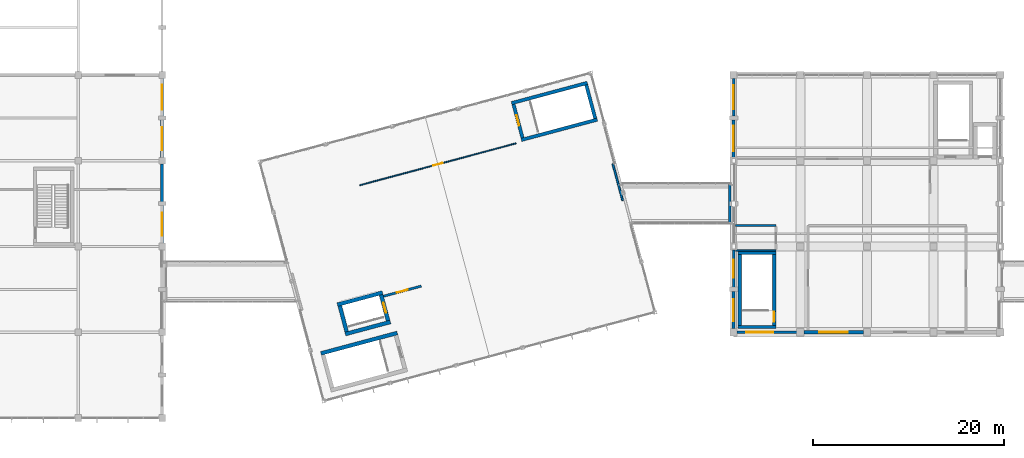
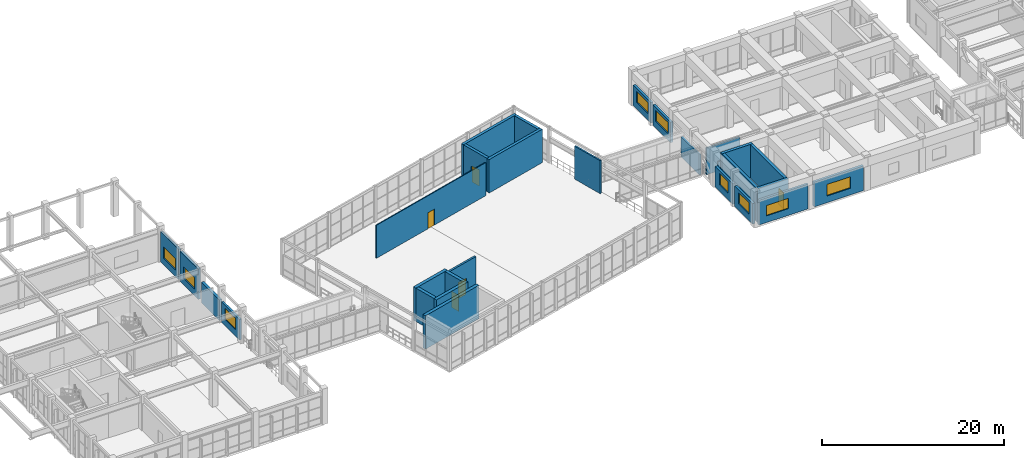
# One storey, part 83 of 99: 29 walls, 9 windows, 5 doors, 14 openings.
"""IFC4 building model written with IfcOpenShell, lengths in metres."""

from ifc_helpers import new_model, si_unit, direction, frame, frame_2d, origin, place, context, subcontext, project, spatial, rectangle, extrude, material, layer, layer_set, type_object, element, fill, save


model = new_model("IFC4")

# Units and contexts
model_context = context("Model", 3, precision=1e-05, world=origin(), true_north=direction((0.0, 1.0)))
body_context = subcontext(model_context, "Body", "Model", "MODEL_VIEW")
ifc_project = project(units=[si_unit("LENGTHUNIT", "METRE"), si_unit("AREAUNIT", "SQUARE_METRE"), si_unit("VOLUMEUNIT", "CUBIC_METRE"), si_unit("PLANEANGLEUNIT", "RADIAN"), si_unit("MASSUNIT", "GRAM", prefix="KILO")], contexts=[model_context])

# Site, building, storey
site_placement = place(None, origin())
site = spatial("IfcSite", under=ifc_project, at=site_placement, CompositionType="ELEMENT")
building_placement = place(site_placement, origin())
building = spatial("IfcBuilding", under=site, at=building_placement, Name="Ventoquebrada Cableway Terminal", CompositionType="ELEMENT")
storey_placement = place(building_placement, frame((0.0, 0.0, 9.60009765625)))
storey = spatial("IfcBuildingStorey", under=building, at=storey_placement, Name="L02", CompositionType="ELEMENT", Elevation=9.60009765625)

# Walls
ifc_material_1 = material(Name="Concrete C40/50", Category="concrete")
ifc_layer_1 = layer(ifc_material_1, 0.39990234375)
ifc_layer_set_1 = layer_set([ifc_layer_1], Name="Concrete C40/50")
wall_type_1 = type_object("IfcWallType", Name="WL-CR1", PredefinedType="SHEAR", material=ifc_layer_set_1)
wall_1_placement = place(storey_placement, frame((59.693115234375, 76.925048828125, 0.0), z_axis=(0.0, 0.0, 1.0), x_axis=(-0.965895785046, -0.258931134532, 0.0)))
element("IfcWall", 1, at=wall_1_placement, inside=storey, type_object=wall_type_1, Name="Core shear wall IW-0115", PredefinedType="SHEAR", context=body_context, shape_type="SweptSolid", body=[
    extrude(rectangle(XDim=8.300048828125, YDim=0.39990234375, at=frame_2d((4.14990234375, 0.0))), origin(), (0.0, 0.0, 1.0), 4.489990234375),
])
wall_2_placement = place(storey_placement, frame((54.237060546875, 76.80810546875, 0.0), z_axis=(0.0, 0.0, 1.0), x_axis=(0.96589421857, 0.258936977917, 0.0)))
element("IfcWall", 2, at=wall_2_placement, inside=storey, type_object=wall_type_1, Name="Core shear wall IW-0117", PredefinedType="SHEAR", context=body_context, shape_type="SweptSolid", body=[
    extrude(rectangle(XDim=4.900146484375, YDim=0.39990234375, at=frame_2d((2.4501953125, 0.0))), origin(), (0.0, 0.0, 1.0), 4.489990234375),
])

# Wall, opening, door
wall_3_placement = place(storey_placement, frame((58.72509765625, 78.218017578125, 0.0), z_axis=(0.0, 0.0, 1.0), x_axis=(-0.258585009686, 0.965988505504, 0.0)))
wall_3 = element("IfcWall", 3, at=wall_3_placement, inside=storey, type_object=wall_type_1, Name="Core shear wall IW-0118", PredefinedType="SHEAR", context=body_context, shape_type="SweptSolid", body=[
    extrude(rectangle(XDim=2.80029296875, YDim=0.39990234375, at=frame_2d((1.400146484375, 0.0))), origin(), (0.0, 0.0, 1.0), 4.489990234375),
])
opening_1_placement = place(wall_3_placement, frame((0.85009765625, 0.0, 0.0)))
opening_1 = element("IfcOpeningElement", 4, at=opening_1_placement, cuts=wall_3, Name="Opening LD-014", PredefinedType="OPENING", context=body_context, shape_type="SweptSolid", body=[
    extrude(rectangle(XDim=1.10009765625, YDim=2.199951171875, at=frame_2d((0.550048828125, 1.10009765625))), frame((0.0, 0.2099609375, 0.0), z_axis=(0.0, -1.0, 0.0), x_axis=(1.0, 0.0, 0.0)), (0.0, 0.0, 1.0), 0.419921875),
])
ifc_material_2 = material(Name="Brushed stainless steel Grade 316", Category="steel")
door_type_1 = type_object("IfcDoorType", Name="DT-LD01", OperationType="SLIDING_TO_LEFT", PredefinedType="DOOR", material=ifc_material_2)
door_1_placement = place(opening_1_placement, origin())
door_1 = element("IfcDoor", 5, at=door_1_placement, inside=storey, type_object=door_type_1, Name="Lift landing sliding door LD-014", OperationType="SLIDING_TO_LEFT", OverallHeight=2.199951171875, OverallWidth=1.10009765625, PredefinedType="DOOR", context=body_context, shape_type="SweptSolid", body=[
    extrude(rectangle(XDim=1.10009765625, YDim=2.199951171875, at=frame_2d((0.550048828125, 1.10009765625))), frame((0.0, 0.02490234375, 0.0), z_axis=(0.0, -1.0, 0.0), x_axis=(1.0, 0.0, 0.0)), (0.0, 0.0, 1.0), 0.050048828125),
])
fill(opening_1, door_1)

# Walls
wall_4_placement = place(storey_placement, frame((58.14208984375, 81.16796875, 0.0), z_axis=(0.0, 0.0, 1.0), x_axis=(-0.965885097819, -0.258970998012, 0.0)))
element("IfcWall", 6, at=wall_4_placement, inside=storey, type_object=wall_type_1, Name="Core shear wall IW-0119", PredefinedType="SHEAR", context=body_context, shape_type="SweptSolid", body=[
    extrude(rectangle(XDim=4.900390625, YDim=0.39990234375, at=frame_2d((2.4501953125, 0.0))), origin(), (0.0, 0.0, 1.0), 4.489990234375),
])
wall_5_placement = place(storey_placement, frame((53.654052734375, 79.758056640625, 0.0), z_axis=(0.0, 0.0, 1.0), x_axis=(0.258503653459, -0.966010280043, 0.0)))
element("IfcWall", 7, at=wall_5_placement, inside=storey, type_object=wall_type_1, Name="Core shear wall IW-0120", PredefinedType="SHEAR", context=body_context, shape_type="SweptSolid", body=[
    extrude(rectangle(XDim=2.80029296875, YDim=0.39990234375, at=frame_2d((1.400146484375, 0.0))), origin(), (0.0, 0.0, 1.0), 4.489990234375),
])

# Wall, opening, window
ifc_material_3 = material(Name="Precast architectural concrete C40/50", Category="concrete")
ifc_layer_2 = layer(ifc_material_3, 0.280029296875)
ifc_layer_set_2 = layer_set([ifc_layer_2], Name="Precast architectural concrete C40/50")
wall_type_2 = type_object("IfcWallType", Name="WL-EX1", PredefinedType="SOLIDWALL", material=ifc_layer_set_2)
wall_6_placement = place(storey_placement, frame((35.0, 86.344970703125, 0.0), z_axis=(0.0, 0.0, 1.0), x_axis=(0.0, 1.0, 0.0)))
wall_6 = element("IfcWall", 8, at=wall_6_placement, inside=storey, type_object=wall_type_2, Name="Exterior architectural wall EW-0156", PredefinedType="SOLIDWALL", context=body_context, shape_type="SweptSolid", body=[
    extrude(rectangle(XDim=3.9599609375, YDim=0.280029296875, at=frame_2d((1.97998046875, 0.0))), origin(), (0.0, 0.0, 1.0), 2.751953125),
])
opening_2_placement = place(wall_6_placement, frame((0.780029296875, 0.0, 0.89990234375)))
opening_2 = element("IfcOpeningElement", 9, at=opening_2_placement, cuts=wall_6, Name="Opening WN-070", PredefinedType="OPENING", context=body_context, shape_type="SweptSolid", body=[
    extrude(rectangle(XDim=2.39990234375, YDim=1.5, at=frame_2d((1.199951171875, 0.75))), frame((0.0, 0.14990234375, 0.0), z_axis=(0.0, -1.0, 0.0), x_axis=(1.0, 0.0, 0.0)), (0.0, 0.0, 1.0), 0.300048828125),
])
ifc_material_4 = material(Name="Double low-e laminated safety glazing", Category="glass")
window_type_1 = type_object("IfcWindowType", Name="WT-10", PartitioningType="SINGLE_PANEL", PredefinedType="WINDOW", material=ifc_material_4)
window_1_placement = place(opening_2_placement, origin())
window_1 = element("IfcWindow", 10, at=window_1_placement, inside=storey, type_object=window_type_1, Name="Architectural punched window WN-070", OverallHeight=1.5, OverallWidth=2.39990234375, PartitioningType="SINGLE_PANEL", PredefinedType="WINDOW", context=body_context, shape_type="SweptSolid", body=[
    extrude(rectangle(XDim=2.39990234375, YDim=1.5, at=frame_2d((1.199951171875, 0.75))), frame((0.0, 0.030029296875, 0.0), z_axis=(0.0, -1.0, 0.0), x_axis=(1.0, 0.0, 0.0)), (0.0, 0.0, 1.0), 0.06005859375),
])
fill(opening_2, window_1)

wall_7_placement = place(storey_placement, frame((35.0, 99.695068359375, 0.0), z_axis=(0.0, 0.0, 1.0), x_axis=(0.0, 1.0, 0.0)))
wall_7 = element("IfcWall", 11, at=wall_7_placement, inside=storey, type_object=wall_type_2, Name="Exterior architectural wall EW-0159", PredefinedType="SOLIDWALL", context=body_context, shape_type="SweptSolid", body=[
    extrude(rectangle(XDim=3.9599609375, YDim=0.280029296875, at=frame_2d((1.97998046875, 0.0))), origin(), (0.0, 0.0, 1.0), 4.074951171875),
])
opening_3_placement = place(wall_7_placement, frame((0.679931640625, 0.0, 0.89990234375)))
opening_3 = element("IfcOpeningElement", 12, at=opening_3_placement, cuts=wall_7, Name="Opening WN-072", PredefinedType="OPENING", context=body_context, shape_type="SweptSolid", body=[
    extrude(rectangle(XDim=2.60009765625, YDim=1.550048828125, at=frame_2d((1.300048828125, 0.77490234375))), frame((0.0, 0.14990234375, 0.0), z_axis=(0.0, -1.0, 0.0), x_axis=(1.0, 0.0, 0.0)), (0.0, 0.0, 1.0), 0.300048828125),
])
window_type_2 = type_object("IfcWindowType", Name="WT-12", PartitioningType="SINGLE_PANEL", PredefinedType="WINDOW", material=ifc_material_4)
window_2_placement = place(opening_3_placement, origin())
window_2 = element("IfcWindow", 13, at=window_2_placement, inside=storey, type_object=window_type_2, Name="Architectural punched window WN-072", OverallHeight=1.550048828125, OverallWidth=2.60009765625, PartitioningType="SINGLE_PANEL", PredefinedType="WINDOW", context=body_context, shape_type="SweptSolid", body=[
    extrude(rectangle(XDim=2.60009765625, YDim=1.550048828125, at=frame_2d((1.300048828125, 0.77490234375))), frame((0.0, 0.030029296875, 0.0), z_axis=(0.0, -1.0, 0.0), x_axis=(1.0, 0.0, 0.0)), (0.0, 0.0, 1.0), 0.06005859375),
])
fill(opening_3, window_2)

wall_8_placement = place(storey_placement, frame((95.3701171875, 77.0, 0.0), z_axis=(0.0, 0.0, 1.0), x_axis=(1.0, 0.0, 0.0)))
wall_8 = element("IfcWall", 14, at=wall_8_placement, inside=storey, type_object=wall_type_2, Name="Exterior architectural wall EW-0219", PredefinedType="SOLIDWALL", context=body_context, shape_type="SweptSolid", body=[
    extrude(rectangle(XDim=6.259765625, YDim=0.280029296875, at=frame_2d((3.1298828125, 0.0))), origin(), (0.0, 0.0, 1.0), 3.324951171875),
])
opening_4_placement = place(wall_8_placement, frame((0.97998046875, 0.0, 0.89990234375)))
opening_4 = element("IfcOpeningElement", 15, at=opening_4_placement, cuts=wall_8, Name="Opening WN-113", PredefinedType="OPENING", context=body_context, shape_type="SweptSolid", body=[
    extrude(rectangle(XDim=2.800048828125, YDim=1.39990234375, at=frame_2d((1.39990234375, 0.699951171875))), frame((0.0, 0.14990234375, 0.0), z_axis=(0.0, -1.0, 0.0), x_axis=(1.0, 0.0, 0.0)), (0.0, 0.0, 1.0), 0.300048828125),
])
window_type_3 = type_object("IfcWindowType", Name="WT-13", PartitioningType="SINGLE_PANEL", PredefinedType="WINDOW", material=ifc_material_4)
window_3_placement = place(opening_4_placement, origin())
window_3 = element("IfcWindow", 16, at=window_3_placement, inside=storey, type_object=window_type_3, Name="Architectural punched window WN-113", OverallHeight=1.39990234375, OverallWidth=2.800048828125, PartitioningType="SINGLE_PANEL", PredefinedType="WINDOW", context=body_context, shape_type="SweptSolid", body=[
    extrude(rectangle(XDim=2.800048828125, YDim=1.39990234375, at=frame_2d((1.39990234375, 0.699951171875))), frame((0.0, 0.030029296875, 0.0), z_axis=(0.0, -1.0, 0.0), x_axis=(1.0, 0.0, 0.0)), (0.0, 0.0, 1.0), 0.06005859375),
])
fill(opening_4, window_3)

wall_9_placement = place(storey_placement, frame((95.0, 85.6298828125, 0.0), z_axis=(0.0, 0.0, 1.0), x_axis=(0.0, -1.0, 0.0)))
wall_9 = element("IfcWall", 17, at=wall_9_placement, inside=storey, type_object=wall_type_2, Name="Exterior architectural wall EW-0225", PredefinedType="SOLIDWALL", context=body_context, shape_type="SweptSolid", body=[
    extrude(rectangle(XDim=3.909912109375, YDim=0.280029296875, at=frame_2d((1.955078125, 0.0))), origin(), (0.0, 0.0, 1.0), 2.751953125),
])
opening_5_placement = place(wall_9_placement, frame((1.0048828125, 0.0, 0.89990234375)))
opening_5 = element("IfcOpeningElement", 18, at=opening_5_placement, cuts=wall_9, Name="Opening WN-117", PredefinedType="OPENING", context=body_context, shape_type="SweptSolid", body=[
    extrude(rectangle(XDim=1.89990234375, YDim=1.550048828125, at=frame_2d((0.949951171875, 0.77490234375))), frame((0.0, 0.14990234375, 0.0), z_axis=(0.0, -1.0, 0.0), x_axis=(1.0, 0.0, 0.0)), (0.0, 0.0, 1.0), 0.300048828125),
])
window_type_4 = type_object("IfcWindowType", Name="WT-17", PartitioningType="SINGLE_PANEL", PredefinedType="WINDOW", material=ifc_material_4)
window_4_placement = place(opening_5_placement, origin())
window_4 = element("IfcWindow", 19, at=window_4_placement, inside=storey, type_object=window_type_4, Name="Architectural punched window WN-117", OverallHeight=1.550048828125, OverallWidth=1.89990234375, PartitioningType="SINGLE_PANEL", PredefinedType="WINDOW", context=body_context, shape_type="SweptSolid", body=[
    extrude(rectangle(XDim=1.89990234375, YDim=1.550048828125, at=frame_2d((0.949951171875, 0.77490234375))), frame((0.0, 0.030029296875, 0.0), z_axis=(0.0, -1.0, 0.0), x_axis=(1.0, 0.0, 0.0)), (0.0, 0.0, 1.0), 0.06005859375),
])
fill(opening_5, window_4)

wall_10_placement = place(storey_placement, frame((95.0, 103.6298828125, 0.0), z_axis=(0.0, 0.0, 1.0), x_axis=(0.0, -1.0, 0.0)))
wall_10 = element("IfcWall", 20, at=wall_10_placement, inside=storey, type_object=wall_type_2, Name="Exterior architectural wall EW-0227", PredefinedType="SOLIDWALL", context=body_context, shape_type="SweptSolid", body=[
    extrude(rectangle(XDim=3.909912109375, YDim=0.280029296875, at=frame_2d((1.955078125, 0.0))), origin(), (0.0, 0.0, 1.0), 2.751953125),
])
opening_6_placement = place(wall_10_placement, frame((0.705078125, 0.0, 0.89990234375)))
opening_6 = element("IfcOpeningElement", 21, at=opening_6_placement, cuts=wall_10, Name="Opening WN-119", PredefinedType="OPENING", context=body_context, shape_type="SweptSolid", body=[
    extrude(rectangle(XDim=2.5, YDim=1.449951171875, at=frame_2d((1.25, 0.72509765625))), frame((0.0, 0.14990234375, 0.0), z_axis=(0.0, -1.0, 0.0), x_axis=(1.0, 0.0, 0.0)), (0.0, 0.0, 1.0), 0.300048828125),
])
window_type_5 = type_object("IfcWindowType", Name="WT-19", PartitioningType="SINGLE_PANEL", PredefinedType="WINDOW", material=ifc_material_4)
window_5_placement = place(opening_6_placement, origin())
window_5 = element("IfcWindow", 22, at=window_5_placement, inside=storey, type_object=window_type_5, Name="Architectural punched window WN-119", OverallHeight=1.449951171875, OverallWidth=2.5, PartitioningType="SINGLE_PANEL", PredefinedType="WINDOW", context=body_context, shape_type="SweptSolid", body=[
    extrude(rectangle(XDim=2.5, YDim=1.449951171875, at=frame_2d((1.25, 0.72509765625))), frame((0.0, 0.030029296875, 0.0), z_axis=(0.0, -1.0, 0.0), x_axis=(1.0, 0.0, 0.0)), (0.0, 0.0, 1.0), 0.06005859375),
])
fill(opening_6, window_5)

# Wall
ifc_layer_3 = layer(ifc_material_3, 0.320068359375)
ifc_layer_set_3 = layer_set([ifc_layer_3], Name="Precast architectural concrete C40/50")
wall_type_3 = type_object("IfcWallType", Name="WL-EX2", PredefinedType="SOLIDWALL", material=ifc_layer_set_3)
wall_11_placement = place(storey_placement, frame((35.0, 90.695068359375, 0.0), z_axis=(0.0, 0.0, 1.0), x_axis=(0.0, 1.0, 0.0)))
element("IfcWall", 23, at=wall_11_placement, inside=storey, type_object=wall_type_3, Name="Exterior architectural wall EW-0157", PredefinedType="SOLIDWALL", context=body_context, shape_type="SweptSolid", body=[
    extrude(rectangle(XDim=3.9599609375, YDim=0.320068359375, at=frame_2d((1.97998046875, 0.0))), origin(), (0.0, 0.0, 1.0), 2.751953125),
])

# Wall, opening, window
wall_12_placement = place(storey_placement, frame((35.0, 95.344970703125, 0.0), z_axis=(0.0, 0.0, 1.0), x_axis=(0.0, 1.0, 0.0)))
wall_12 = element("IfcWall", 24, at=wall_12_placement, inside=storey, type_object=wall_type_3, Name="Exterior architectural wall EW-0158", PredefinedType="SOLIDWALL", context=body_context, shape_type="SweptSolid", body=[
    extrude(rectangle(XDim=3.9599609375, YDim=0.320068359375, at=frame_2d((1.97998046875, 0.0))), origin(), (0.0, 0.0, 1.0), 4.074951171875),
])
opening_7_placement = place(wall_12_placement, frame((0.780029296875, 0.0, 0.89990234375)))
opening_7 = element("IfcOpeningElement", 25, at=opening_7_placement, cuts=wall_12, Name="Opening WN-071", PredefinedType="OPENING", context=body_context, shape_type="SweptSolid", body=[
    extrude(rectangle(XDim=2.39990234375, YDim=1.550048828125, at=frame_2d((1.199951171875, 0.77490234375))), frame((0.0, 0.169921875, 0.0), z_axis=(0.0, -1.0, 0.0), x_axis=(1.0, 0.0, 0.0)), (0.0, 0.0, 1.0), 0.340087890625),
])
window_type_6 = type_object("IfcWindowType", Name="WT-11", PartitioningType="SINGLE_PANEL", PredefinedType="WINDOW", material=ifc_material_4)
window_6_placement = place(opening_7_placement, origin())
window_6 = element("IfcWindow", 26, at=window_6_placement, inside=storey, type_object=window_type_6, Name="Architectural punched window WN-071", OverallHeight=1.550048828125, OverallWidth=2.39990234375, PartitioningType="SINGLE_PANEL", PredefinedType="WINDOW", context=body_context, shape_type="SweptSolid", body=[
    extrude(rectangle(XDim=2.39990234375, YDim=1.550048828125, at=frame_2d((1.199951171875, 0.77490234375))), frame((0.0, 0.030029296875, 0.0), z_axis=(0.0, -1.0, 0.0), x_axis=(1.0, 0.0, 0.0)), (0.0, 0.0, 1.0), 0.06005859375),
])
fill(opening_7, window_6)

wall_13_placement = place(storey_placement, frame((102.3701171875, 77.0, 0.0), z_axis=(0.0, 0.0, 1.0), x_axis=(1.0, 0.0, 0.0)))
wall_13 = element("IfcWall", 27, at=wall_13_placement, inside=storey, type_object=wall_type_3, Name="Exterior architectural wall EW-0220", PredefinedType="SOLIDWALL", context=body_context, shape_type="SweptSolid", body=[
    extrude(rectangle(XDim=6.259765625, YDim=0.320068359375, at=frame_2d((3.1298828125, 0.0))), origin(), (0.0, 0.0, 1.0), 3.324951171875),
])
opening_8_placement = place(wall_13_placement, frame((1.6298828125, 0.0, 0.89990234375)))
opening_8 = element("IfcOpeningElement", 28, at=opening_8_placement, cuts=wall_13, Name="Opening WN-114", PredefinedType="OPENING", context=body_context, shape_type="SweptSolid", body=[
    extrude(rectangle(XDim=3.0, YDim=1.550048828125, at=frame_2d((1.5, 0.77490234375))), frame((0.0, 0.169921875, 0.0), z_axis=(0.0, -1.0, 0.0), x_axis=(1.0, 0.0, 0.0)), (0.0, 0.0, 1.0), 0.340087890625),
])
window_type_7 = type_object("IfcWindowType", Name="WT-14", PartitioningType="SINGLE_PANEL", PredefinedType="WINDOW", material=ifc_material_4)
window_7_placement = place(opening_8_placement, origin())
window_7 = element("IfcWindow", 29, at=window_7_placement, inside=storey, type_object=window_type_7, Name="Architectural punched window WN-114", OverallHeight=1.550048828125, OverallWidth=3.0, PartitioningType="SINGLE_PANEL", PredefinedType="WINDOW", context=body_context, shape_type="SweptSolid", body=[
    extrude(rectangle(XDim=3.0, YDim=1.550048828125, at=frame_2d((1.5, 0.77490234375))), frame((0.0, 0.030029296875, 0.0), z_axis=(0.0, -1.0, 0.0), x_axis=(1.0, 0.0, 0.0)), (0.0, 0.0, 1.0), 0.06005859375),
])
fill(opening_8, window_7)

wall_14_placement = place(storey_placement, frame((95.0, 81.280029296875, 0.0), z_axis=(0.0, 0.0, 1.0), x_axis=(0.0, -1.0, 0.0)))
wall_14 = element("IfcWall", 30, at=wall_14_placement, inside=storey, type_object=wall_type_3, Name="Exterior architectural wall EW-0226", PredefinedType="SOLIDWALL", context=body_context, shape_type="SweptSolid", body=[
    extrude(rectangle(XDim=3.909912109375, YDim=0.320068359375, at=frame_2d((1.955078125, 0.0))), origin(), (0.0, 0.0, 1.0), 2.751953125),
])
opening_9_placement = place(wall_14_placement, frame((0.804931640625, 0.0, 0.89990234375)))
opening_9 = element("IfcOpeningElement", 31, at=opening_9_placement, cuts=wall_14, Name="Opening WN-118", PredefinedType="OPENING", context=body_context, shape_type="SweptSolid", body=[
    extrude(rectangle(XDim=2.300048828125, YDim=1.5, at=frame_2d((1.14990234375, 0.75))), frame((0.0, 0.169921875, 0.0), z_axis=(0.0, -1.0, 0.0), x_axis=(1.0, 0.0, 0.0)), (0.0, 0.0, 1.0), 0.340087890625),
])
window_type_8 = type_object("IfcWindowType", Name="WT-18", PartitioningType="SINGLE_PANEL", PredefinedType="WINDOW", material=ifc_material_4)
window_8_placement = place(opening_9_placement, origin())
window_8 = element("IfcWindow", 32, at=window_8_placement, inside=storey, type_object=window_type_8, Name="Architectural punched window WN-118", OverallHeight=1.5, OverallWidth=2.300048828125, PartitioningType="SINGLE_PANEL", PredefinedType="WINDOW", context=body_context, shape_type="SweptSolid", body=[
    extrude(rectangle(XDim=2.300048828125, YDim=1.5, at=frame_2d((1.14990234375, 0.75))), frame((0.0, 0.030029296875, 0.0), z_axis=(0.0, -1.0, 0.0), x_axis=(1.0, 0.0, 0.0)), (0.0, 0.0, 1.0), 0.06005859375),
])
fill(opening_9, window_8)

wall_15_placement = place(storey_placement, frame((95.0, 99.280029296875, 0.0), z_axis=(0.0, 0.0, 1.0), x_axis=(0.0, -1.0, 0.0)))
wall_15 = element("IfcWall", 33, at=wall_15_placement, inside=storey, type_object=wall_type_3, Name="Exterior architectural wall EW-0228", PredefinedType="SOLIDWALL", context=body_context, shape_type="SweptSolid", body=[
    extrude(rectangle(XDim=3.909912109375, YDim=0.320068359375, at=frame_2d((1.955078125, 0.0))), origin(), (0.0, 0.0, 1.0), 2.751953125),
])
opening_10_placement = place(wall_15_placement, frame((0.60498046875, 0.0, 0.89990234375)))
opening_10 = element("IfcOpeningElement", 34, at=opening_10_placement, cuts=wall_15, Name="Opening WN-120", PredefinedType="OPENING", context=body_context, shape_type="SweptSolid", body=[
    extrude(rectangle(XDim=2.699951171875, YDim=1.5, at=frame_2d((1.35009765625, 0.75))), frame((0.0, 0.169921875, 0.0), z_axis=(0.0, -1.0, 0.0), x_axis=(1.0, 0.0, 0.0)), (0.0, 0.0, 1.0), 0.340087890625),
])
window_type_9 = type_object("IfcWindowType", Name="WT-20", PartitioningType="SINGLE_PANEL", PredefinedType="WINDOW", material=ifc_material_4)
window_9_placement = place(opening_10_placement, origin())
window_9 = element("IfcWindow", 35, at=window_9_placement, inside=storey, type_object=window_type_9, Name="Architectural punched window WN-120", OverallHeight=1.5, OverallWidth=2.699951171875, PartitioningType="SINGLE_PANEL", PredefinedType="WINDOW", context=body_context, shape_type="SweptSolid", body=[
    extrude(rectangle(XDim=2.699951171875, YDim=1.5, at=frame_2d((1.35009765625, 0.75))), frame((0.0, 0.030029296875, 0.0), z_axis=(0.0, -1.0, 0.0), x_axis=(1.0, 0.0, 0.0)), (0.0, 0.0, 1.0), 0.06005859375),
])
fill(opening_10, window_9)

# Wall, opening, door
ifc_material_5 = material(Name="Fire-rated gypsum partition board on steel framing", Category="steel")
ifc_layer_4 = layer(ifc_material_5, 0.1201171875)
ifc_layer_set_4 = layer_set([ifc_layer_4], Name="Fire-rated gypsum partition board on steel framing")
wall_type_4 = type_object("IfcWallType", Name="WL-PT1", PredefinedType="PARTITIONING", material=ifc_layer_set_4)
wall_16_placement = place(storey_placement, frame((55.7451171875, 92.430908203125, 0.0), z_axis=(0.0, 0.0, 1.0), x_axis=(0.96592317908, 0.258828924421, 0.0)))
wall_16 = element("IfcWall", 36, at=wall_16_placement, inside=storey, type_object=wall_type_4, Name="Interior partition IW-0391", PredefinedType="PARTITIONING", context=body_context, shape_type="SweptSolid", body=[
    extrude(rectangle(XDim=17.000244140625, YDim=0.1201171875, at=frame_2d((8.5, 0.0))), origin(), (0.0, 0.0, 1.0), 4.434814453125),
])
opening_11_placement = place(wall_16_placement, frame((8.0, 0.0, 0.0)))
opening_11 = element("IfcOpeningElement", 37, at=opening_11_placement, cuts=wall_16, Name="Opening D-116", PredefinedType="OPENING", context=body_context, shape_type="SweptSolid", body=[
    extrude(rectangle(XDim=1.0, YDim=2.14990234375, at=frame_2d((0.5, 1.074951171875))), frame((0.0, 0.070068359375, 0.0), z_axis=(0.0, -1.0, 0.0), x_axis=(1.0, 0.0, 0.0)), (0.0, 0.0, 1.0), 0.14013671875),
])
ifc_material_6 = material(Name="Fire-retardant oak acoustic door leaf")
door_type_2 = type_object("IfcDoorType", Name="DT-IN02", OperationType="SINGLE_SWING_RIGHT", PredefinedType="DOOR", material=ifc_material_6)
door_2_placement = place(opening_11_placement, origin())
door_2 = element("IfcDoor", 38, at=door_2_placement, inside=storey, type_object=door_type_2, Name="Supervisor Glass Booth Door D-116", OperationType="SINGLE_SWING_LEFT", OverallHeight=2.14990234375, OverallWidth=1.0, PredefinedType="DOOR", context=body_context, shape_type="SweptSolid", body=[
    extrude(rectangle(XDim=1.0, YDim=2.14990234375, at=frame_2d((0.5, 1.074951171875))), frame((0.0, 0.02490234375, 0.0), z_axis=(0.0, -1.0, 0.0), x_axis=(1.0, 0.0, 0.0)), (0.0, 0.0, 1.0), 0.050048828125),
])
fill(opening_11, door_2)

ifc_material_7 = material(Name="Autoclaved aerated concrete blockwork", Category="masonry")
ifc_layer_5 = layer(ifc_material_7, 0.2451171875)
ifc_layer_set_5 = layer_set([ifc_layer_5], Name="Autoclaved aerated concrete blockwork")
wall_type_5 = type_object("IfcWallType", Name="WL-PT10", PredefinedType="PARTITIONING", material=ifc_layer_set_5)
wall_17_placement = place(storey_placement, frame((58.2451171875, 80.781005859375, 0.0), z_axis=(0.0, 0.0, 1.0), x_axis=(0.965943799927, 0.258751957254, 0.0)))
wall_17 = element("IfcWall", 39, at=wall_17_placement, inside=storey, type_object=wall_type_5, Name="Interior partition IW-0390", PredefinedType="PARTITIONING", context=body_context, shape_type="SweptSolid", body=[
    extrude(rectangle(XDim=4.1005859375, YDim=0.2451171875, at=frame_2d((2.05029296875, 0.0))), origin(), (0.0, 0.0, 1.0), 4.434814453125),
])
opening_12_placement = place(wall_17_placement, frame((1.449951171875, 0.0, 0.0)))
opening_12 = element("IfcOpeningElement", 40, at=opening_12_placement, cuts=wall_17, Name="Opening D-115", PredefinedType="OPENING", context=body_context, shape_type="SweptSolid", body=[
    extrude(rectangle(XDim=1.199951171875, YDim=2.199951171875, at=frame_2d((0.60009765625, 1.10009765625))), frame((0.0, 0.132568359375, 0.0), z_axis=(0.0, -1.0, 0.0), x_axis=(1.0, 0.0, 0.0)), (0.0, 0.0, 1.0), 0.26513671875),
])
ifc_material_8 = material(Name="Galvanized fire-rated steel door assembly", Category="steel")
door_type_3 = type_object("IfcDoorType", Name="DT-IN06", OperationType="SINGLE_SWING_RIGHT", PredefinedType="DOOR", material=ifc_material_8)
door_3_placement = place(opening_12_placement, origin())
door_3 = element("IfcDoor", 41, at=door_3_placement, inside=storey, type_object=door_type_3, Name="K2 Platform Lobby Door D-115", OperationType="SINGLE_SWING_RIGHT", OverallHeight=2.199951171875, OverallWidth=1.199951171875, PredefinedType="DOOR", context=body_context, shape_type="SweptSolid", body=[
    extrude(rectangle(XDim=1.199951171875, YDim=2.199951171875, at=frame_2d((0.60009765625, 1.10009765625))), frame((0.0, 0.02490234375, 0.0), z_axis=(0.0, -1.0, 0.0), x_axis=(1.0, 0.0, 0.0)), (0.0, 0.0, 1.0), 0.050048828125),
])
fill(opening_12, door_3)

# Walls
ifc_layer_6 = layer(ifc_material_7, 0.199951171875)
ifc_layer_set_6 = layer_set([ifc_layer_6], Name="Autoclaved aerated concrete blockwork")
wall_type_6 = type_object("IfcWallType", Name="WL-PT4", PredefinedType="PARTITIONING", material=ifc_layer_set_6)
wall_18_placement = place(storey_placement, frame((83.35205078125, 90.821044921875, 0.0), z_axis=(0.0, 0.0, 1.0), x_axis=(-0.258771675905, 0.965938517582, 0.0)))
element("IfcWall", 42, at=wall_18_placement, inside=storey, type_object=wall_type_6, Name="Interior partition IW-0394", PredefinedType="PARTITIONING", context=body_context, shape_type="SweptSolid", body=[
    extrude(rectangle(XDim=4.000244140625, YDim=0.199951171875, at=frame_2d((2.0, 0.0))), origin(), (0.0, 0.0, 1.0), 4.434814453125),
])
ifc_layer_7 = layer(ifc_material_7, 0.22998046875)
ifc_layer_set_7 = layer_set([ifc_layer_7], Name="Autoclaved aerated concrete blockwork")
wall_type_7 = type_object("IfcWallType", Name="WL-PT5", PredefinedType="PARTITIONING", material=ifc_layer_set_7)
wall_19_placement = place(storey_placement, frame((94.60009765625, 88.5, 0.0), z_axis=(0.0, 0.0, 1.0), x_axis=(0.0, 1.0, 0.0)))
element("IfcWall", 43, at=wall_19_placement, inside=storey, type_object=wall_type_7, Name="Interior partition IW-0395", PredefinedType="PARTITIONING", context=body_context, shape_type="SweptSolid", body=[
    extrude(rectangle(XDim=4.0, YDim=0.22998046875, at=frame_2d((2.0, 0.0))), origin(), (0.0, 0.0, 1.0), 2.741943359375),
])
ifc_layer_8 = layer(ifc_material_5, 0.1650390625)
ifc_layer_set_8 = layer_set([ifc_layer_8], Name="Fire-rated gypsum partition board on steel framing")
wall_type_8 = type_object("IfcWallType", Name="WL-PT8", PredefinedType="PARTITIONING", material=ifc_layer_set_8)
wall_20_placement = place(storey_placement, frame((95.199951171875, 85.60009765625, 0.0), z_axis=(0.0, 0.0, 1.0), x_axis=(1.0, 0.0, 0.0)))
element("IfcWall", 44, at=wall_20_placement, inside=storey, type_object=wall_type_8, Name="Interior partition IW-0398", PredefinedType="PARTITIONING", context=body_context, shape_type="SweptSolid", body=[
    extrude(rectangle(XDim=4.25, YDim=0.1650390625, at=frame_2d((2.125, 0.0))), origin(), (0.0, 0.0, 1.0), 3.31494140625),
])
ifc_layer_9 = layer(ifc_material_7, 0.215087890625)
ifc_layer_set_9 = layer_set([ifc_layer_9], Name="Autoclaved aerated concrete blockwork")
wall_type_9 = type_object("IfcWallType", Name="WL-PT9", PredefinedType="PARTITIONING", material=ifc_layer_set_9)
wall_21_placement = place(storey_placement, frame((95.199951171875, 88.199951171875, 0.0), z_axis=(0.0, 0.0, 1.0), x_axis=(1.0, 0.0, 0.0)))
element("IfcWall", 45, at=wall_21_placement, inside=storey, type_object=wall_type_9, Name="Interior partition IW-0399", PredefinedType="PARTITIONING", context=body_context, shape_type="SweptSolid", body=[
    extrude(rectangle(XDim=4.25, YDim=0.215087890625, at=frame_2d((2.125, 0.0))), origin(), (0.0, 0.0, 1.0), 3.56494140625),
])
ifc_layer_10 = layer(ifc_material_1, 0.35009765625)
ifc_layer_set_10 = layer_set([ifc_layer_10], Name="Concrete C40/50")
wall_type_10 = type_object("IfcWallType", Name="WL-SH1", PredefinedType="SHEAR", material=ifc_layer_set_10)
wall_22_placement = place(storey_placement, frame((95.47509765625, 77.550048828125, 0.0), z_axis=(0.0, 0.0, 1.0), x_axis=(1.0, 0.0, 0.0)))
element("IfcWall", 46, at=wall_22_placement, inside=storey, type_object=wall_type_10, Name="Core shear wall IW-0241", PredefinedType="SHEAR", context=body_context, shape_type="SweptSolid", body=[
    extrude(rectangle(XDim=3.949951171875, YDim=0.35009765625, at=frame_2d((1.97509765625, 0.0))), origin(), (0.0, 0.0, 1.0), 4.489990234375),
])

# Wall, opening, door
wall_23_placement = place(storey_placement, frame((99.25, 77.72509765625, 0.0), z_axis=(0.0, 0.0, 1.0), x_axis=(0.0, 1.0, 0.0)))
wall_23 = element("IfcWall", 47, at=wall_23_placement, inside=storey, type_object=wall_type_10, Name="Core shear wall IW-0242", PredefinedType="SHEAR", context=body_context, shape_type="SweptSolid", body=[
    extrude(rectangle(XDim=7.449951171875, YDim=0.35009765625, at=frame_2d((3.72509765625, 0.0))), origin(), (0.0, 0.0, 1.0), 4.489990234375),
])
opening_13_placement = place(wall_23_placement, frame((0.35009765625, 0.0, 0.0)))
opening_13 = element("IfcOpeningElement", 48, at=opening_13_placement, cuts=wall_23, Name="Opening D-035", PredefinedType="OPENING", context=body_context, shape_type="SweptSolid", body=[
    extrude(rectangle(XDim=1.10009765625, YDim=2.199951171875, at=frame_2d((0.550048828125, 1.10009765625))), frame((0.0, 0.18505859375, 0.0), z_axis=(0.0, -1.0, 0.0), x_axis=(1.0, 0.0, 0.0)), (0.0, 0.0, 1.0), 0.3701171875),
])
door_type_4 = type_object("IfcDoorType", Name="DT-IN05", OperationType="SINGLE_SWING_LEFT", PredefinedType="DOOR", material=ifc_material_8)
door_4_placement = place(opening_13_placement, origin())
door_4 = element("IfcDoor", 49, at=door_4_placement, inside=storey, type_object=door_type_4, Name="Core V2-SEC stair fire door D-035", OperationType="SINGLE_SWING_RIGHT", OverallHeight=2.199951171875, OverallWidth=1.10009765625, PredefinedType="DOOR", context=body_context, shape_type="SweptSolid", body=[
    extrude(rectangle(XDim=1.10009765625, YDim=2.199951171875, at=frame_2d((0.550048828125, 1.10009765625))), frame((0.0, 0.02490234375, 0.0), z_axis=(0.0, -1.0, 0.0), x_axis=(1.0, 0.0, 0.0)), (0.0, 0.0, 1.0), 0.050048828125),
])
fill(opening_13, door_4)

# Walls
wall_24_placement = place(storey_placement, frame((99.425048828125, 85.35009765625, 0.0), z_axis=(0.0, 0.0, 1.0), x_axis=(-1.0, 0.0, 0.0)))
element("IfcWall", 50, at=wall_24_placement, inside=storey, type_object=wall_type_10, Name="Core shear wall IW-0243", PredefinedType="SHEAR", context=body_context, shape_type="SweptSolid", body=[
    extrude(rectangle(XDim=3.949951171875, YDim=0.35009765625, at=frame_2d((1.97509765625, 0.0))), origin(), (0.0, 0.0, 1.0), 4.489990234375),
])
wall_25_placement = place(storey_placement, frame((95.64990234375, 85.175048828125, 0.0), z_axis=(0.0, 0.0, 1.0), x_axis=(0.0, -1.0, 0.0)))
element("IfcWall", 51, at=wall_25_placement, inside=storey, type_object=wall_type_10, Name="Core shear wall IW-0244", PredefinedType="SHEAR", context=body_context, shape_type="SweptSolid", body=[
    extrude(rectangle(XDim=7.449951171875, YDim=0.35009765625, at=frame_2d((3.72509765625, 0.0))), origin(), (0.0, 0.0, 1.0), 4.489990234375),
])
wall_26_placement = place(storey_placement, frame((72.718017578125, 97.18603515625, 0.0), z_axis=(0.0, 0.0, 1.0), x_axis=(0.965926253902, 0.258817449225, 0.0)))
element("IfcWall", 52, at=wall_26_placement, inside=storey, type_object=wall_type_10, Name="Core shear wall IW-0289", PredefinedType="SHEAR", context=body_context, shape_type="SweptSolid", body=[
    extrude(rectangle(XDim=8.2490234375, YDim=0.35009765625, at=frame_2d((4.12451171875, 0.0))), origin(), (0.0, 0.0, 1.0), 4.489990234375),
])
wall_27_placement = place(storey_placement, frame((80.471923828125, 99.445068359375, 0.0), z_axis=(0.0, 0.0, 1.0), x_axis=(-0.258903281768, 0.965903251206, 0.0)))
element("IfcWall", 53, at=wall_27_placement, inside=storey, type_object=wall_type_10, Name="Core shear wall IW-0290", PredefinedType="SHEAR", context=body_context, shape_type="SweptSolid", body=[
    extrude(rectangle(XDim=3.6494140625, YDim=0.35009765625, at=frame_2d((1.82470703125, 0.0))), origin(), (0.0, 0.0, 1.0), 4.489990234375),
])
wall_28_placement = place(storey_placement, frame((79.65087890625, 103.18408203125, 0.0), z_axis=(0.0, 0.0, 1.0), x_axis=(-0.965963766628, -0.258677408293, 0.0)))
element("IfcWall", 54, at=wall_28_placement, inside=storey, type_object=wall_type_10, Name="Core shear wall IW-0291", PredefinedType="SHEAR", context=body_context, shape_type="SweptSolid", body=[
    extrude(rectangle(XDim=8.249755859375, YDim=0.35009765625, at=frame_2d((4.125, 0.0))), origin(), (0.0, 0.0, 1.0), 4.489990234375),
])

# Wall, opening, door
wall_29_placement = place(storey_placement, frame((71.89599609375, 100.926025390625, 0.0), z_axis=(0.0, 0.0, 1.0), x_axis=(0.259131609127, -0.965842020804, 0.0)))
wall_29 = element("IfcWall", 55, at=wall_29_placement, inside=storey, type_object=wall_type_10, Name="Core shear wall IW-0292", PredefinedType="SHEAR", context=body_context, shape_type="SweptSolid", body=[
    extrude(rectangle(XDim=3.65087890625, YDim=0.35009765625, at=frame_2d((1.825439453125, 0.0))), origin(), (0.0, 0.0, 1.0), 4.489990234375),
])
opening_14_placement = place(wall_29_placement, frame((1.199951171875, 0.0, 0.0)))
opening_14 = element("IfcOpeningElement", 56, at=opening_14_placement, cuts=wall_29, Name="Opening D-046", PredefinedType="OPENING", context=body_context, shape_type="SweptSolid", body=[
    extrude(rectangle(XDim=1.10009765625, YDim=2.199951171875, at=frame_2d((0.550048828125, 1.10009765625))), frame((0.0, 0.18505859375, 0.0), z_axis=(0.0, -1.0, 0.0), x_axis=(1.0, 0.0, 0.0)), (0.0, 0.0, 1.0), 0.3701171875),
])
door_5_placement = place(opening_14_placement, origin())
door_5 = element("IfcDoor", 57, at=door_5_placement, inside=storey, type_object=door_type_4, Name="Core V1-EAST stair fire door D-046", OperationType="SINGLE_SWING_LEFT", OverallHeight=2.199951171875, OverallWidth=1.10009765625, PredefinedType="DOOR", context=body_context, shape_type="SweptSolid", body=[
    extrude(rectangle(XDim=1.10009765625, YDim=2.199951171875, at=frame_2d((0.550048828125, 1.10009765625))), frame((0.0, 0.02490234375, 0.0), z_axis=(0.0, -1.0, 0.0), x_axis=(1.0, 0.0, 0.0)), (0.0, 0.0, 1.0), 0.050048828125),
])
fill(opening_14, door_5)

save(model, "model.ifc")
